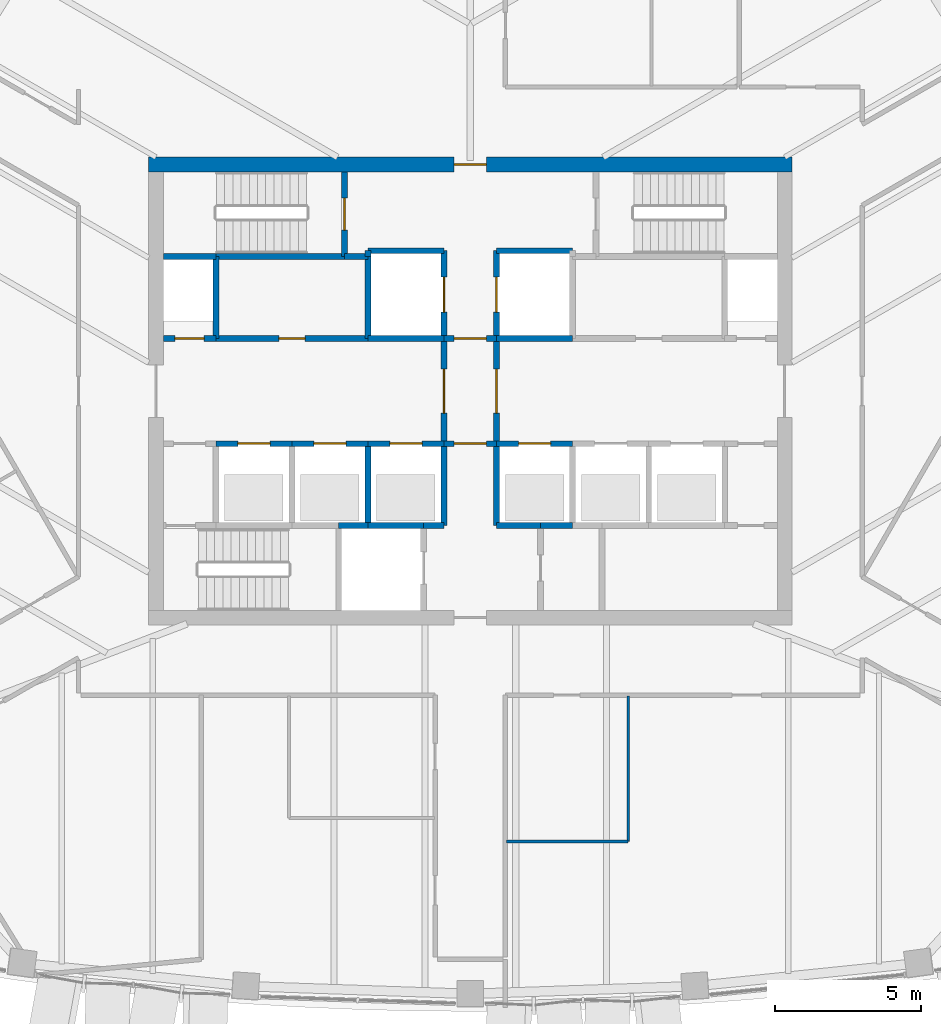
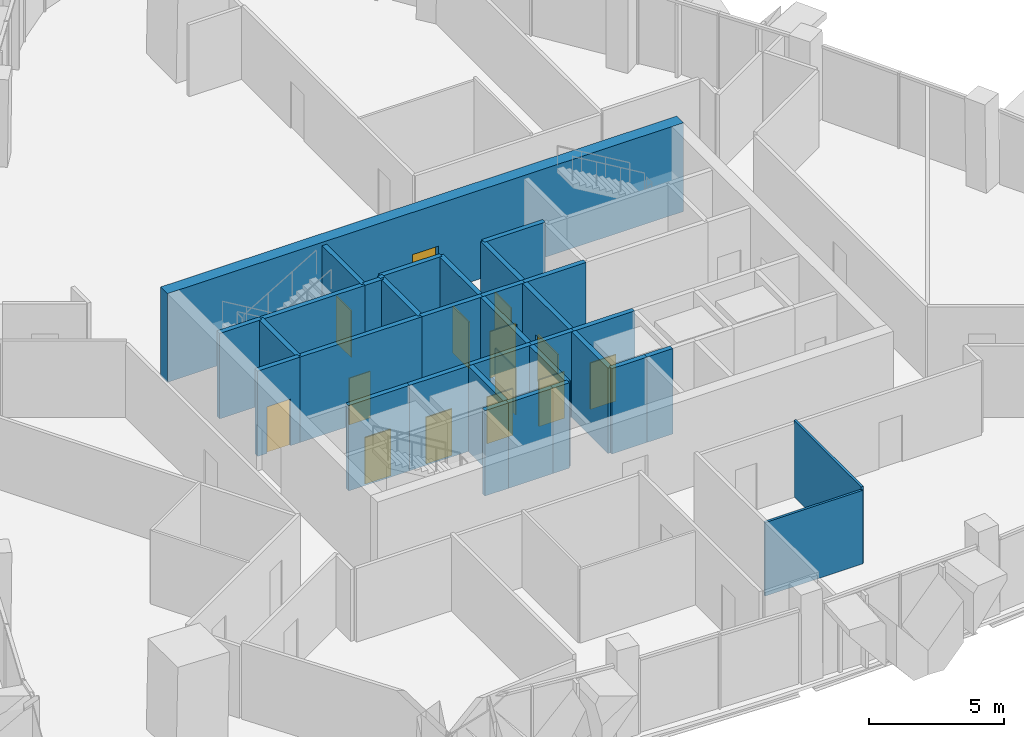
# One storey, part 12 of 18: 34 walls, 14 doors, 14 openings.
"""IFC4 building model written with IfcOpenShell, lengths in metres."""

from ifc_helpers import new_model, si_unit, direction, frame, frame_2d, origin, place, context, subcontext, project, spatial, rectangle, extrude, material, layer, layer_set, type_object, element, fill, save


model = new_model("IFC4")

# Units and contexts
model_context = context("Model", 3, precision=1e-05, world=origin(), true_north=direction((0.0, 1.0)))
body_context = subcontext(model_context, "Body", "Model", "MODEL_VIEW")
ifc_project = project(units=[si_unit("LENGTHUNIT", "METRE"), si_unit("AREAUNIT", "SQUARE_METRE"), si_unit("VOLUMEUNIT", "CUBIC_METRE"), si_unit("PLANEANGLEUNIT", "RADIAN"), si_unit("MASSUNIT", "GRAM", prefix="KILO")], contexts=[model_context])

# Site, building, storey
site_placement = place(None, origin())
site = spatial("IfcSite", under=ifc_project, at=site_placement, CompositionType="ELEMENT")
building_placement = place(site_placement, origin())
building = spatial("IfcBuilding", under=site, at=building_placement, Name="Sierra Prisma Convention Tower", CompositionType="ELEMENT")
storey_placement = place(building_placement, frame((0.0, 0.0, 251.0)))
storey = spatial("IfcBuildingStorey", under=building, at=storey_placement, Name="L56", CompositionType="ELEMENT", Elevation=251.0)

# Walls
ifc_material_1 = material(Name="Gypsum board partition", Category="gypsum")
ifc_layer_1 = layer(ifc_material_1, 0.10009765625)
ifc_layer_set_1 = layer_set([ifc_layer_1], Name="Bathroom partition 100")
wall_type_1 = type_object("IfcWallType", Name="Bathroom partition 100", PredefinedType="PARTITIONING", material=ifc_layer_set_1)
wall_1_placement = place(storey_placement, frame((5.39990234375, -10.429931640625, 0.0), z_axis=(0.0, 0.0, 1.0), x_axis=(0.0, -1.0, 0.0)))
element("IfcWall", 1, at=wall_1_placement, inside=storey, type_object=wall_type_1, Name="Partition L56 bath 5", PredefinedType="PARTITIONING", context=body_context, shape_type="SweptSolid", body=[
    extrude(rectangle(XDim=4.969970703125, YDim=0.10009765625, at=frame_2d((2.48486328125, 0.0))), origin(), (0.0, 0.0, 1.0), 3.449951171875),
])
wall_2_placement = place(storey_placement, frame((5.39990234375, -15.39990234375, 0.0), z_axis=(0.0, 0.0, 1.0), x_axis=(-1.0, 0.0, 0.0)))
element("IfcWall", 2, at=wall_2_placement, inside=storey, type_object=wall_type_1, Name="Partition L56 bath 6", PredefinedType="PARTITIONING", context=body_context, shape_type="SweptSolid", body=[
    extrude(rectangle(XDim=4.169921875, YDim=0.10009765625, at=frame_2d((2.0849609375, 0.0))), origin(), (0.0, 0.0, 1.0), 3.31689453125),
])

# Wall, opening, door
ifc_material_2 = material(Name="Concrete C30/37", Category="concrete")
ifc_layer_2 = layer(ifc_material_2, 0.199951171875)
ifc_layer_set_2 = layer_set([ifc_layer_2], Name="Core wall RC 200 C30/37")
wall_type_2 = type_object("IfcWallType", Name="Core wall RC 200 C30/37", PredefinedType="SOLIDWALL", material=ifc_layer_set_2)
wall_3_placement = place(storey_placement, frame((-8.699951171875, 1.800048828125, 0.0), z_axis=(0.0, 0.0, 1.0), x_axis=(-1.0, 0.0, 0.0)))
wall_3 = element("IfcWall", 3, at=wall_3_placement, inside=storey, type_object=wall_type_2, Name="Core wall L56 3", PredefinedType="SOLIDWALL", context=body_context, shape_type="SweptSolid", body=[
    extrude(rectangle(XDim=1.800048828125, YDim=0.199951171875, at=frame_2d((0.89990234375, 0.0))), origin(), (0.0, 0.0, 1.0), 3.85009765625),
])
opening_1_placement = place(wall_3_placement, frame((0.39990234375, 0.0, 0.0)))
opening_1 = element("IfcOpeningElement", 4, at=opening_1_placement, cuts=wall_3, Name="Opening L56-D015", PredefinedType="OPENING", context=body_context, shape_type="SweptSolid", body=[
    extrude(rectangle(XDim=1.0, YDim=2.10009765625, at=frame_2d((0.5, 1.050048828125))), frame((0.0, 0.10009765625, 0.0), z_axis=(0.0, -1.0, 0.0), x_axis=(1.0, 0.0, 0.0)), (0.0, 0.0, 1.0), 0.199951171875),
])
ifc_material_3 = material(Name="Steel fire door leaf", Category="steel")
door_type_1 = type_object("IfcDoorType", Name="Door 1000x2100 FD60S", OperationType="SINGLE_SWING_LEFT", PredefinedType="DOOR", material=ifc_material_3)
door_1_placement = place(opening_1_placement, origin())
door_1 = element("IfcDoor", 5, at=door_1_placement, inside=storey, type_object=door_type_1, Name="Door L56 30", OperationType="SINGLE_SWING_RIGHT", OverallHeight=2.10009765625, OverallWidth=1.0, PredefinedType="DOOR", context=body_context, shape_type="SweptSolid", body=[
    extrude(rectangle(XDim=1.0, YDim=2.10009765625, at=frame_2d((0.5, 1.050048828125))), frame((0.0, 0.02490234375, 0.0), z_axis=(0.0, -1.0, 0.0), x_axis=(1.0, 0.0, 0.0)), (0.0, 0.0, 1.0), 0.050048828125),
])
fill(opening_1, door_1)

# Wall
wall_4_placement = place(storey_placement, frame((-8.699951171875, 4.60009765625, 0.0), z_axis=(0.0, 0.0, 1.0), x_axis=(-1.0, 0.0, 0.0)))
element("IfcWall", 6, at=wall_4_placement, inside=storey, type_object=wall_type_2, Name="Core wall L56 4", PredefinedType="SOLIDWALL", context=body_context, shape_type="SweptSolid", body=[
    extrude(rectangle(XDim=1.800048828125, YDim=0.199951171875, at=frame_2d((0.89990234375, 0.0))), origin(), (0.0, 0.0, 1.0), 3.85009765625),
])

# Wall, opening, door
wall_5_placement = place(storey_placement, frame((-8.699951171875, -1.800048828125, 0.0), z_axis=(0.0, 0.0, 1.0), x_axis=(1.0, 0.0, 0.0)))
wall_5 = element("IfcWall", 7, at=wall_5_placement, inside=storey, type_object=wall_type_2, Name="Core wall L56 7", PredefinedType="SOLIDWALL", context=body_context, shape_type="SweptSolid", body=[
    extrude(rectangle(XDim=2.599853515625, YDim=0.199951171875, at=frame_2d((1.2998046875, 0.0))), origin(), (0.0, 0.0, 1.0), 3.85009765625),
])
opening_2_placement = place(wall_5_placement, frame((0.75, 0.0, 0.0)))
opening_2 = element("IfcOpeningElement", 8, at=opening_2_placement, cuts=wall_5, Name="Opening L56-D001", PredefinedType="OPENING", context=body_context, shape_type="SweptSolid", body=[
    extrude(rectangle(XDim=1.10009765625, YDim=2.10009765625, at=frame_2d((0.550048828125, 1.050048828125))), frame((0.0, 0.10009765625, 0.0), z_axis=(0.0, -1.0, 0.0), x_axis=(1.0, 0.0, 0.0)), (0.0, 0.0, 1.0), 0.199951171875),
])
ifc_material_4 = material(Name="Steel fire door leaf", Category="steel")
door_type_2 = type_object("IfcDoorType", Name="Door 1100x2100 EI 90 sliding lift landing", OperationType="SLIDING_TO_LEFT", PredefinedType="DOOR", material=ifc_material_4)
door_2_placement = place(opening_2_placement, origin())
door_2 = element("IfcDoor", 9, at=door_2_placement, inside=storey, type_object=door_type_2, Name="Door L56 16", OperationType="SLIDING_TO_RIGHT", OverallHeight=2.10009765625, OverallWidth=1.10009765625, PredefinedType="DOOR", context=body_context, shape_type="SweptSolid", body=[
    extrude(rectangle(XDim=1.10009765625, YDim=2.10009765625, at=frame_2d((0.550048828125, 1.050048828125))), frame((0.0, 0.02490234375, 0.0), z_axis=(0.0, -1.0, 0.0), x_axis=(1.0, 0.0, 0.0)), (0.0, 0.0, 1.0), 0.050048828125),
])
fill(opening_2, door_2)

wall_6_placement = place(storey_placement, frame((-8.699951171875, 1.800048828125, 0.0), z_axis=(0.0, 0.0, 1.0), x_axis=(1.0, 0.0, 0.0)))
wall_6 = element("IfcWall", 10, at=wall_6_placement, inside=storey, type_object=wall_type_2, Name="Core wall L56 8", PredefinedType="SOLIDWALL", context=body_context, shape_type="SweptSolid", body=[
    extrude(rectangle(XDim=5.199951171875, YDim=0.199951171875, at=frame_2d((2.60009765625, 0.0))), origin(), (0.0, 0.0, 1.0), 3.85009765625),
])
opening_3_placement = place(wall_6_placement, frame((2.14990234375, 0.0, 0.0)))
opening_3 = element("IfcOpeningElement", 11, at=opening_3_placement, cuts=wall_6, Name="Opening L56-D021", PredefinedType="OPENING", context=body_context, shape_type="SweptSolid", body=[
    extrude(rectangle(XDim=0.89990234375, YDim=2.10009765625, at=frame_2d((0.449951171875, 1.050048828125))), frame((0.0, 0.10009765625, 0.0), z_axis=(0.0, -1.0, 0.0), x_axis=(1.0, 0.0, 0.0)), (0.0, 0.0, 1.0), 0.199951171875),
])
ifc_material_5 = material(Name="Steel fire door leaf", Category="steel")
door_type_3 = type_object("IfcDoorType", Name="Door 900x2100 FD30S", OperationType="SINGLE_SWING_LEFT", PredefinedType="DOOR", material=ifc_material_5)
door_3_placement = place(opening_3_placement, origin())
door_3 = element("IfcDoor", 12, at=door_3_placement, inside=storey, type_object=door_type_3, Name="Door L56 36", OperationType="SINGLE_SWING_RIGHT", OverallHeight=2.10009765625, OverallWidth=0.89990234375, PredefinedType="DOOR", context=body_context, shape_type="SweptSolid", body=[
    extrude(rectangle(XDim=0.89990234375, YDim=2.10009765625, at=frame_2d((0.449951171875, 1.050048828125))), frame((0.0, 0.02490234375, 0.0), z_axis=(0.0, -1.0, 0.0), x_axis=(1.0, 0.0, 0.0)), (0.0, 0.0, 1.0), 0.050048828125),
])
fill(opening_3, door_3)

# Walls
wall_7_placement = place(storey_placement, frame((-8.699951171875, 4.60009765625, 0.0), z_axis=(0.0, 0.0, 1.0), x_axis=(0.0, -1.0, 0.0)))
element("IfcWall", 13, at=wall_7_placement, inside=storey, type_object=wall_type_2, Name="Core wall L56 9", PredefinedType="SOLIDWALL", context=body_context, shape_type="SweptSolid", body=[
    extrude(rectangle(XDim=2.800048828125, YDim=0.199951171875, at=frame_2d((1.39990234375, 0.0))), origin(), (0.0, 0.0, 1.0), 3.85009765625),
])
wall_8_placement = place(storey_placement, frame((-4.300048828125, 4.60009765625, 0.0), z_axis=(0.0, 0.0, 1.0), x_axis=(-1.0, 0.0, 0.0)))
element("IfcWall", 14, at=wall_8_placement, inside=storey, type_object=wall_type_2, Name="Core wall L56 10", PredefinedType="SOLIDWALL", context=body_context, shape_type="SweptSolid", body=[
    extrude(rectangle(XDim=4.39990234375, YDim=0.199951171875, at=frame_2d((2.199951171875, 0.0))), origin(), (0.0, 0.0, 1.0), 3.85009765625),
])

# Wall, opening, door
wall_9_placement = place(storey_placement, frame((-6.10009765625, -1.800048828125, 0.0), z_axis=(0.0, 0.0, 1.0), x_axis=(1.0, 0.0, 0.0)))
wall_9 = element("IfcWall", 15, at=wall_9_placement, inside=storey, type_object=wall_type_2, Name="Core wall L56 13", PredefinedType="SOLIDWALL", context=body_context, shape_type="SweptSolid", body=[
    extrude(rectangle(XDim=2.60009765625, YDim=0.199951171875, at=frame_2d((1.300048828125, 0.0))), origin(), (0.0, 0.0, 1.0), 3.85009765625),
])
opening_4_placement = place(wall_9_placement, frame((0.75, 0.0, 0.0)))
opening_4 = element("IfcOpeningElement", 16, at=opening_4_placement, cuts=wall_9, Name="Opening L56-D002", PredefinedType="OPENING", context=body_context, shape_type="SweptSolid", body=[
    extrude(rectangle(XDim=1.10009765625, YDim=2.10009765625, at=frame_2d((0.550048828125, 1.050048828125))), frame((0.0, 0.10009765625, 0.0), z_axis=(0.0, -1.0, 0.0), x_axis=(1.0, 0.0, 0.0)), (0.0, 0.0, 1.0), 0.199951171875),
])
door_4_placement = place(opening_4_placement, origin())
door_4 = element("IfcDoor", 17, at=door_4_placement, inside=storey, type_object=door_type_2, Name="Door L56 17", OperationType="SLIDING_TO_LEFT", OverallHeight=2.10009765625, OverallWidth=1.10009765625, PredefinedType="DOOR", context=body_context, shape_type="SweptSolid", body=[
    extrude(rectangle(XDim=1.10009765625, YDim=2.10009765625, at=frame_2d((0.550048828125, 1.050048828125))), frame((0.0, 0.02490234375, 0.0), z_axis=(0.0, -1.0, 0.0), x_axis=(1.0, 0.0, 0.0)), (0.0, 0.0, 1.0), 0.050048828125),
])
fill(opening_4, door_4)

# Walls
wall_10_placement = place(storey_placement, frame((-4.5, -4.60009765625, 0.0), z_axis=(0.0, 0.0, 1.0), x_axis=(1.0, 0.0, 0.0)))
element("IfcWall", 18, at=wall_10_placement, inside=storey, type_object=wall_type_2, Name="Core wall L56 15", PredefinedType="SOLIDWALL", context=body_context, shape_type="SweptSolid", body=[
    extrude(rectangle(XDim=1.0, YDim=0.199951171875, at=frame_2d((0.5, 0.0))), origin(), (0.0, 0.0, 1.0), 3.85009765625),
])
wall_11_placement = place(storey_placement, frame((-3.5, 4.60009765625, 0.0), z_axis=(0.0, 0.0, 1.0), x_axis=(-1.0, 0.0, 0.0)))
element("IfcWall", 19, at=wall_11_placement, inside=storey, type_object=wall_type_2, Name="Core wall L56 16", PredefinedType="SOLIDWALL", context=body_context, shape_type="SweptSolid", body=[
    extrude(rectangle(XDim=0.800048828125, YDim=0.199951171875, at=frame_2d((0.39990234375, 0.0))), origin(), (0.0, 0.0, 1.0), 3.85009765625),
])

# Wall, opening, door
wall_12_placement = place(storey_placement, frame((-4.300048828125, 4.60009765625, 0.0), z_axis=(0.0, 0.0, 1.0), x_axis=(0.0, 1.0, 0.0)))
wall_12 = element("IfcWall", 20, at=wall_12_placement, inside=storey, type_object=wall_type_2, Name="Core wall L56 17", PredefinedType="SOLIDWALL", context=body_context, shape_type="SweptSolid", body=[
    extrude(rectangle(XDim=2.89990234375, YDim=0.199951171875, at=frame_2d((1.449951171875, 0.0))), origin(), (0.0, 0.0, 1.0), 3.85009765625),
])
opening_5_placement = place(wall_12_placement, frame((0.89990234375, 0.0, 0.0)))
opening_5 = element("IfcOpeningElement", 21, at=opening_5_placement, cuts=wall_12, Name="Opening L56-D018", PredefinedType="OPENING", context=body_context, shape_type="SweptSolid", body=[
    extrude(rectangle(XDim=1.10009765625, YDim=2.10009765625, at=frame_2d((0.550048828125, 1.050048828125))), frame((0.0, 0.10009765625, 0.0), z_axis=(0.0, -1.0, 0.0), x_axis=(1.0, 0.0, 0.0)), (0.0, 0.0, 1.0), 0.199951171875),
])
ifc_material_6 = material(Name="Steel fire door leaf", Category="steel")
door_type_4 = type_object("IfcDoorType", Name="Door 1100x2100 FD90S", OperationType="SINGLE_SWING_LEFT", PredefinedType="DOOR", material=ifc_material_6)
door_5_placement = place(opening_5_placement, origin())
door_5 = element("IfcDoor", 22, at=door_5_placement, inside=storey, type_object=door_type_4, Name="Door L56 33", OperationType="SINGLE_SWING_RIGHT", OverallHeight=2.10009765625, OverallWidth=1.10009765625, PredefinedType="DOOR", context=body_context, shape_type="SweptSolid", body=[
    extrude(rectangle(XDim=1.10009765625, YDim=2.10009765625, at=frame_2d((0.550048828125, 1.050048828125))), frame((0.0, 0.02490234375, 0.0), z_axis=(0.0, -1.0, 0.0), x_axis=(1.0, 0.0, 0.0)), (0.0, 0.0, 1.0), 0.050048828125),
])
fill(opening_5, door_5)

# Walls
wall_13_placement = place(storey_placement, frame((-3.5, -4.60009765625, 0.0), z_axis=(0.0, 0.0, 1.0), x_axis=(1.0, 0.0, 0.0)))
element("IfcWall", 23, at=wall_13_placement, inside=storey, type_object=wall_type_2, Name="Core wall L56 18", PredefinedType="SOLIDWALL", context=body_context, shape_type="SweptSolid", body=[
    extrude(rectangle(XDim=1.89990234375, YDim=0.199951171875, at=frame_2d((0.949951171875, 0.0))), origin(), (0.0, 0.0, 1.0), 3.85009765625),
])
wall_14_placement = place(storey_placement, frame((-3.5, -4.60009765625, 0.0), z_axis=(0.0, 0.0, 1.0), x_axis=(0.0, 1.0, 0.0)))
element("IfcWall", 24, at=wall_14_placement, inside=storey, type_object=wall_type_2, Name="Core wall L56 19", PredefinedType="SOLIDWALL", context=body_context, shape_type="SweptSolid", body=[
    extrude(rectangle(XDim=2.800048828125, YDim=0.199951171875, at=frame_2d((1.39990234375, 0.0))), origin(), (0.0, 0.0, 1.0), 3.85009765625),
])

# Wall, opening, door
wall_15_placement = place(storey_placement, frame((-3.5, -1.800048828125, 0.0), z_axis=(0.0, 0.0, 1.0), x_axis=(1.0, 0.0, 0.0)))
wall_15 = element("IfcWall", 25, at=wall_15_placement, inside=storey, type_object=wall_type_2, Name="Core wall L56 20", PredefinedType="SOLIDWALL", context=body_context, shape_type="SweptSolid", body=[
    extrude(rectangle(XDim=2.60009765625, YDim=0.199951171875, at=frame_2d((1.300048828125, 0.0))), origin(), (0.0, 0.0, 1.0), 3.85009765625),
])
opening_6_placement = place(wall_15_placement, frame((0.75, 0.0, 0.0)))
opening_6 = element("IfcOpeningElement", 26, at=opening_6_placement, cuts=wall_15, Name="Opening L56-D003", PredefinedType="OPENING", context=body_context, shape_type="SweptSolid", body=[
    extrude(rectangle(XDim=1.10009765625, YDim=2.10009765625, at=frame_2d((0.550048828125, 1.050048828125))), frame((0.0, 0.10009765625, 0.0), z_axis=(0.0, -1.0, 0.0), x_axis=(1.0, 0.0, 0.0)), (0.0, 0.0, 1.0), 0.199951171875),
])
door_6_placement = place(opening_6_placement, origin())
door_6 = element("IfcDoor", 27, at=door_6_placement, inside=storey, type_object=door_type_2, Name="Door L56 18", OperationType="SLIDING_TO_LEFT", OverallHeight=2.10009765625, OverallWidth=1.10009765625, PredefinedType="DOOR", context=body_context, shape_type="SweptSolid", body=[
    extrude(rectangle(XDim=1.10009765625, YDim=2.10009765625, at=frame_2d((0.550048828125, 1.050048828125))), frame((0.0, 0.02490234375, 0.0), z_axis=(0.0, -1.0, 0.0), x_axis=(1.0, 0.0, 0.0)), (0.0, 0.0, 1.0), 0.050048828125),
])
fill(opening_6, door_6)

# Walls
wall_16_placement = place(storey_placement, frame((-0.89990234375, 1.800048828125, 0.0), z_axis=(0.0, 0.0, 1.0), x_axis=(-1.0, 0.0, 0.0)))
element("IfcWall", 28, at=wall_16_placement, inside=storey, type_object=wall_type_2, Name="Core wall L56 21", PredefinedType="SOLIDWALL", context=body_context, shape_type="SweptSolid", body=[
    extrude(rectangle(XDim=2.60009765625, YDim=0.199951171875, at=frame_2d((1.300048828125, 0.0))), origin(), (0.0, 0.0, 1.0), 3.85009765625),
])
wall_17_placement = place(storey_placement, frame((-3.5, 1.800048828125, 0.0), z_axis=(0.0, 0.0, 1.0), x_axis=(0.0, 1.0, 0.0)))
element("IfcWall", 29, at=wall_17_placement, inside=storey, type_object=wall_type_2, Name="Core wall L56 22", PredefinedType="SOLIDWALL", context=body_context, shape_type="SweptSolid", body=[
    extrude(rectangle(XDim=2.800048828125, YDim=0.199951171875, at=frame_2d((1.39990234375, 0.0))), origin(), (0.0, 0.0, 1.0), 3.85009765625),
])

# Wall, opening, door
wall_18_placement = place(storey_placement, frame((-0.89990234375, 1.800048828125, 0.0), z_axis=(0.0, 0.0, 1.0), x_axis=(0.0, 1.0, 0.0)))
wall_18 = element("IfcWall", 30, at=wall_18_placement, inside=storey, type_object=wall_type_2, Name="Core wall L56 23", PredefinedType="SOLIDWALL", context=body_context, shape_type="SweptSolid", body=[
    extrude(rectangle(XDim=3.0, YDim=0.199951171875, at=frame_2d((1.5, 0.0))), origin(), (0.0, 0.0, 1.0), 3.85009765625),
])
opening_7_placement = place(wall_18_placement, frame((0.89990234375, 0.0, 0.0)))
opening_7 = element("IfcOpeningElement", 31, at=opening_7_placement, cuts=wall_18, Name="Opening L56-D007", PredefinedType="OPENING", context=body_context, shape_type="SweptSolid", body=[
    extrude(rectangle(XDim=1.199951171875, YDim=2.10009765625, at=frame_2d((0.60009765625, 1.050048828125))), frame((0.0, 0.10009765625, 0.0), z_axis=(0.0, -1.0, 0.0), x_axis=(1.0, 0.0, 0.0)), (0.0, 0.0, 1.0), 0.199951171875),
])
ifc_material_7 = material(Name="Steel fire door leaf", Category="steel")
door_type_5 = type_object("IfcDoorType", Name="Door 1200x2100 EI 90 sliding lift landing", OperationType="SLIDING_TO_LEFT", PredefinedType="DOOR", material=ifc_material_7)
door_7_placement = place(opening_7_placement, origin())
door_7 = element("IfcDoor", 32, at=door_7_placement, inside=storey, type_object=door_type_5, Name="Door L56 22", OperationType="SLIDING_TO_RIGHT", OverallHeight=2.10009765625, OverallWidth=1.199951171875, PredefinedType="DOOR", context=body_context, shape_type="SweptSolid", body=[
    extrude(rectangle(XDim=1.199951171875, YDim=2.10009765625, at=frame_2d((0.60009765625, 1.050048828125))), frame((0.0, 0.02490234375, 0.0), z_axis=(0.0, -1.0, 0.0), x_axis=(1.0, 0.0, 0.0)), (0.0, 0.0, 1.0), 0.050048828125),
])
fill(opening_7, door_7)

# Walls
wall_19_placement = place(storey_placement, frame((-0.89990234375, 4.800048828125, 0.0), z_axis=(0.0, 0.0, 1.0), x_axis=(-1.0, 0.0, 0.0)))
element("IfcWall", 33, at=wall_19_placement, inside=storey, type_object=wall_type_2, Name="Core wall L56 24", PredefinedType="SOLIDWALL", context=body_context, shape_type="SweptSolid", body=[
    extrude(rectangle(XDim=2.60009765625, YDim=0.199951171875, at=frame_2d((1.300048828125, 0.0))), origin(), (0.0, 0.0, 1.0), 3.85009765625),
])
wall_20_placement = place(storey_placement, frame((-3.5, 4.800048828125, 0.0), z_axis=(0.0, 0.0, 1.0), x_axis=(0.0, -1.0, 0.0)))
element("IfcWall", 34, at=wall_20_placement, inside=storey, type_object=wall_type_2, Name="Core wall L56 25", PredefinedType="SOLIDWALL", context=body_context, shape_type="SweptSolid", body=[
    extrude(rectangle(XDim=0.199951171875, YDim=0.199951171875, at=frame_2d((0.10009765625, 0.0))), origin(), (0.0, 0.0, 1.0), 3.85009765625),
])
wall_21_placement = place(storey_placement, frame((-1.60009765625, -4.60009765625, 0.0), z_axis=(0.0, 0.0, 1.0), x_axis=(1.0, 0.0, 0.0)))
element("IfcWall", 35, at=wall_21_placement, inside=storey, type_object=wall_type_2, Name="Core wall L56 27", PredefinedType="SOLIDWALL", context=body_context, shape_type="SweptSolid", body=[
    extrude(rectangle(XDim=0.7001953125, YDim=0.199951171875, at=frame_2d((0.35009765625, 0.0))), origin(), (0.0, 0.0, 1.0), 3.85009765625),
])
wall_22_placement = place(storey_placement, frame((-0.89990234375, -4.60009765625, 0.0), z_axis=(0.0, 0.0, 1.0), x_axis=(0.0, 1.0, 0.0)))
element("IfcWall", 36, at=wall_22_placement, inside=storey, type_object=wall_type_2, Name="Core wall L56 28", PredefinedType="SOLIDWALL", context=body_context, shape_type="SweptSolid", body=[
    extrude(rectangle(XDim=2.800048828125, YDim=0.199951171875, at=frame_2d((1.39990234375, 0.0))), origin(), (0.0, 0.0, 1.0), 3.85009765625),
])

# Wall, opening, door
wall_23_placement = place(storey_placement, frame((-0.89990234375, -1.800048828125, 0.0), z_axis=(0.0, 0.0, 1.0), x_axis=(1.0, 0.0, 0.0)))
wall_23 = element("IfcWall", 37, at=wall_23_placement, inside=storey, type_object=wall_type_2, Name="Core wall L56 29", PredefinedType="SOLIDWALL", context=body_context, shape_type="SweptSolid", body=[
    extrude(rectangle(XDim=1.7998046875, YDim=0.199951171875, at=frame_2d((0.89990234375, 0.0))), origin(), (0.0, 0.0, 1.0), 3.85009765625),
])
opening_8_placement = place(wall_23_placement, frame((0.35009765625, 0.0, 0.0)))
opening_8 = element("IfcOpeningElement", 38, at=opening_8_placement, cuts=wall_23, Name="Opening L56-D014", PredefinedType="OPENING", context=body_context, shape_type="SweptSolid", body=[
    extrude(rectangle(XDim=1.10009765625, YDim=2.10009765625, at=frame_2d((0.550048828125, 1.050048828125))), frame((0.0, 0.10009765625, 0.0), z_axis=(0.0, -1.0, 0.0), x_axis=(1.0, 0.0, 0.0)), (0.0, 0.0, 1.0), 0.199951171875),
])
ifc_material_8 = material(Name="Steel fire door leaf", Category="steel")
door_type_6 = type_object("IfcDoorType", Name="Door 1100x2100 FD30S", OperationType="SINGLE_SWING_LEFT", PredefinedType="DOOR", material=ifc_material_8)
door_8_placement = place(opening_8_placement, origin())
door_8 = element("IfcDoor", 39, at=door_8_placement, inside=storey, type_object=door_type_6, Name="Door L56 29", OperationType="SINGLE_SWING_LEFT", OverallHeight=2.10009765625, OverallWidth=1.10009765625, PredefinedType="DOOR", context=body_context, shape_type="SweptSolid", body=[
    extrude(rectangle(XDim=1.10009765625, YDim=2.10009765625, at=frame_2d((0.550048828125, 1.050048828125))), frame((0.0, 0.02490234375, 0.0), z_axis=(0.0, -1.0, 0.0), x_axis=(1.0, 0.0, 0.0)), (0.0, 0.0, 1.0), 0.050048828125),
])
fill(opening_8, door_8)

wall_24_placement = place(storey_placement, frame((-0.89990234375, 1.800048828125, 0.0), z_axis=(0.0, 0.0, 1.0), x_axis=(0.0, -1.0, 0.0)))
wall_24 = element("IfcWall", 40, at=wall_24_placement, inside=storey, type_object=wall_type_2, Name="Core wall L56 30", PredefinedType="SOLIDWALL", context=body_context, shape_type="SweptSolid", body=[
    extrude(rectangle(XDim=3.60009765625, YDim=0.199951171875, at=frame_2d((1.800048828125, 0.0))), origin(), (0.0, 0.0, 1.0), 3.85009765625),
])
opening_9_placement = place(wall_24_placement, frame((1.050048828125, 0.0, 0.0)))
opening_9 = element("IfcOpeningElement", 41, at=opening_9_placement, cuts=wall_24, Name="Opening L56-D010", PredefinedType="OPENING", context=body_context, shape_type="SweptSolid", body=[
    extrude(rectangle(XDim=1.5, YDim=2.10009765625, at=frame_2d((0.75, 1.050048828125))), frame((0.0, 0.10009765625, 0.0), z_axis=(0.0, -1.0, 0.0), x_axis=(1.0, 0.0, 0.0)), (0.0, 0.0, 1.0), 0.199951171875),
])
ifc_material_9 = material(Name="Steel fire door leaf", Category="steel")
door_type_7 = type_object("IfcDoorType", Name="Door 1500x2100 FD30S", OperationType="DOUBLE_DOOR_SINGLE_SWING", PredefinedType="DOOR", material=ifc_material_9)
door_9_placement = place(opening_9_placement, origin())
door_9 = element("IfcDoor", 42, at=door_9_placement, inside=storey, type_object=door_type_7, Name="Door L56 25", OperationType="DOUBLE_DOOR_SINGLE_SWING", OverallHeight=2.10009765625, OverallWidth=1.5, PredefinedType="DOOR", context=body_context, shape_type="SweptSolid", body=[
    extrude(rectangle(XDim=1.5, YDim=2.10009765625, at=frame_2d((0.75, 1.050048828125))), frame((0.0, 0.02490234375, 0.0), z_axis=(0.0, -1.0, 0.0), x_axis=(1.0, 0.0, 0.0)), (0.0, 0.0, 1.0), 0.050048828125),
])
fill(opening_9, door_9)

wall_25_placement = place(storey_placement, frame((0.89990234375, 1.800048828125, 0.0), z_axis=(0.0, 0.0, 1.0), x_axis=(-1.0, 0.0, 0.0)))
wall_25 = element("IfcWall", 43, at=wall_25_placement, inside=storey, type_object=wall_type_2, Name="Core wall L56 31", PredefinedType="SOLIDWALL", context=body_context, shape_type="SweptSolid", body=[
    extrude(rectangle(XDim=1.7998046875, YDim=0.199951171875, at=frame_2d((0.89990234375, 0.0))), origin(), (0.0, 0.0, 1.0), 3.85009765625),
])
opening_10_placement = place(wall_25_placement, frame((0.35009765625, 0.0, 0.0)))
opening_10 = element("IfcOpeningElement", 44, at=opening_10_placement, cuts=wall_25, Name="Opening L56-D013", PredefinedType="OPENING", context=body_context, shape_type="SweptSolid", body=[
    extrude(rectangle(XDim=1.10009765625, YDim=2.10009765625, at=frame_2d((0.550048828125, 1.050048828125))), frame((0.0, 0.10009765625, 0.0), z_axis=(0.0, -1.0, 0.0), x_axis=(1.0, 0.0, 0.0)), (0.0, 0.0, 1.0), 0.199951171875),
])
ifc_material_10 = material(Name="Steel fire door leaf", Category="steel")
door_type_8 = type_object("IfcDoorType", Name="Door 1100x2100 FD60S", OperationType="SINGLE_SWING_LEFT", PredefinedType="DOOR", material=ifc_material_10)
door_10_placement = place(opening_10_placement, origin())
door_10 = element("IfcDoor", 45, at=door_10_placement, inside=storey, type_object=door_type_8, Name="Door L56 28", OperationType="SINGLE_SWING_LEFT", OverallHeight=2.10009765625, OverallWidth=1.10009765625, PredefinedType="DOOR", context=body_context, shape_type="SweptSolid", body=[
    extrude(rectangle(XDim=1.10009765625, YDim=2.10009765625, at=frame_2d((0.550048828125, 1.050048828125))), frame((0.0, 0.02490234375, 0.0), z_axis=(0.0, -1.0, 0.0), x_axis=(1.0, 0.0, 0.0)), (0.0, 0.0, 1.0), 0.050048828125),
])
fill(opening_10, door_10)

wall_26_placement = place(storey_placement, frame((0.89990234375, -1.800048828125, 0.0), z_axis=(0.0, 0.0, 1.0), x_axis=(1.0, 0.0, 0.0)))
wall_26 = element("IfcWall", 46, at=wall_26_placement, inside=storey, type_object=wall_type_2, Name="Core wall L56 32", PredefinedType="SOLIDWALL", context=body_context, shape_type="SweptSolid", body=[
    extrude(rectangle(XDim=2.60009765625, YDim=0.199951171875, at=frame_2d((1.300048828125, 0.0))), origin(), (0.0, 0.0, 1.0), 3.85009765625),
])
opening_11_placement = place(wall_26_placement, frame((0.75, 0.0, 0.0)))
opening_11 = element("IfcOpeningElement", 47, at=opening_11_placement, cuts=wall_26, Name="Opening L56-D004", PredefinedType="OPENING", context=body_context, shape_type="SweptSolid", body=[
    extrude(rectangle(XDim=1.10009765625, YDim=2.10009765625, at=frame_2d((0.550048828125, 1.050048828125))), frame((0.0, 0.10009765625, 0.0), z_axis=(0.0, -1.0, 0.0), x_axis=(1.0, 0.0, 0.0)), (0.0, 0.0, 1.0), 0.199951171875),
])
door_11_placement = place(opening_11_placement, origin())
door_11 = element("IfcDoor", 48, at=door_11_placement, inside=storey, type_object=door_type_2, Name="Door L56 19", OperationType="SLIDING_TO_RIGHT", OverallHeight=2.10009765625, OverallWidth=1.10009765625, PredefinedType="DOOR", context=body_context, shape_type="SweptSolid", body=[
    extrude(rectangle(XDim=1.10009765625, YDim=2.10009765625, at=frame_2d((0.550048828125, 1.050048828125))), frame((0.0, 0.02490234375, 0.0), z_axis=(0.0, -1.0, 0.0), x_axis=(1.0, 0.0, 0.0)), (0.0, 0.0, 1.0), 0.050048828125),
])
fill(opening_11, door_11)

wall_27_placement = place(storey_placement, frame((0.89990234375, -1.800048828125, 0.0), z_axis=(0.0, 0.0, 1.0), x_axis=(0.0, 1.0, 0.0)))
wall_27 = element("IfcWall", 49, at=wall_27_placement, inside=storey, type_object=wall_type_2, Name="Core wall L56 33", PredefinedType="SOLIDWALL", context=body_context, shape_type="SweptSolid", body=[
    extrude(rectangle(XDim=3.60009765625, YDim=0.199951171875, at=frame_2d((1.800048828125, 0.0))), origin(), (0.0, 0.0, 1.0), 3.85009765625),
])
opening_12_placement = place(wall_27_placement, frame((1.050048828125, 0.0, 0.0)))
opening_12 = element("IfcOpeningElement", 50, at=opening_12_placement, cuts=wall_27, Name="Opening L56-D011", PredefinedType="OPENING", context=body_context, shape_type="SweptSolid", body=[
    extrude(rectangle(XDim=1.5, YDim=2.10009765625, at=frame_2d((0.75, 1.050048828125))), frame((0.0, 0.10009765625, 0.0), z_axis=(0.0, -1.0, 0.0), x_axis=(1.0, 0.0, 0.0)), (0.0, 0.0, 1.0), 0.199951171875),
])
door_12_placement = place(opening_12_placement, origin())
door_12 = element("IfcDoor", 51, at=door_12_placement, inside=storey, type_object=door_type_7, Name="Door L56 26", OperationType="DOUBLE_DOOR_SINGLE_SWING", OverallHeight=2.10009765625, OverallWidth=1.5, PredefinedType="DOOR", context=body_context, shape_type="SweptSolid", body=[
    extrude(rectangle(XDim=1.5, YDim=2.10009765625, at=frame_2d((0.75, 1.050048828125))), frame((0.0, 0.02490234375, 0.0), z_axis=(0.0, -1.0, 0.0), x_axis=(1.0, 0.0, 0.0)), (0.0, 0.0, 1.0), 0.050048828125),
])
fill(opening_12, door_12)

# Walls
wall_28_placement = place(storey_placement, frame((0.89990234375, -1.800048828125, 0.0), z_axis=(0.0, 0.0, 1.0), x_axis=(0.0, -1.0, 0.0)))
element("IfcWall", 52, at=wall_28_placement, inside=storey, type_object=wall_type_2, Name="Core wall L56 34", PredefinedType="SOLIDWALL", context=body_context, shape_type="SweptSolid", body=[
    extrude(rectangle(XDim=2.800048828125, YDim=0.199951171875, at=frame_2d((1.39990234375, 0.0))), origin(), (0.0, 0.0, 1.0), 3.85009765625),
])
wall_29_placement = place(storey_placement, frame((0.89990234375, -4.60009765625, 0.0), z_axis=(0.0, 0.0, 1.0), x_axis=(1.0, 0.0, 0.0)))
element("IfcWall", 53, at=wall_29_placement, inside=storey, type_object=wall_type_2, Name="Core wall L56 35", PredefinedType="SOLIDWALL", context=body_context, shape_type="SweptSolid", body=[
    extrude(rectangle(XDim=1.5, YDim=0.199951171875, at=frame_2d((0.75, 0.0))), origin(), (0.0, 0.0, 1.0), 3.85009765625),
])
for number, where, z_axis, x_axis, name in (
    (54, (3.5, 1.800048828125, 0.0), (0.0, 0.0, 1.0), (-1.0, 0.0, 0.0), "Core wall L56 36"),
    (55, (3.5, 4.800048828125, 0.0), (0.0, 0.0, 1.0), (-1.0, 0.0, 0.0), "Core wall L56 38"),
):
    element("IfcWall", number, at=place(storey_placement, frame(where, z_axis=z_axis, x_axis=x_axis)), inside=storey, type_object=wall_type_2, Name=name, PredefinedType="SOLIDWALL", context=body_context, shape_type="SweptSolid", body=[
        extrude(rectangle(XDim=2.60009765625, YDim=0.199951171875, at=frame_2d((1.300048828125, 0.0))), origin(), (0.0, 0.0, 1.0), 3.85009765625),
    ])

# Wall, opening, door
wall_30_placement = place(storey_placement, frame((0.89990234375, 4.800048828125, 0.0), z_axis=(0.0, 0.0, 1.0), x_axis=(0.0, -1.0, 0.0)))
wall_30 = element("IfcWall", 56, at=wall_30_placement, inside=storey, type_object=wall_type_2, Name="Core wall L56 39", PredefinedType="SOLIDWALL", context=body_context, shape_type="SweptSolid", body=[
    extrude(rectangle(XDim=3.0, YDim=0.199951171875, at=frame_2d((1.5, 0.0))), origin(), (0.0, 0.0, 1.0), 3.85009765625),
])
opening_13_placement = place(wall_30_placement, frame((0.89990234375, 0.0, 0.0)))
opening_13 = element("IfcOpeningElement", 57, at=opening_13_placement, cuts=wall_30, Name="Opening L56-D008", PredefinedType="OPENING", context=body_context, shape_type="SweptSolid", body=[
    extrude(rectangle(XDim=1.199951171875, YDim=2.10009765625, at=frame_2d((0.60009765625, 1.050048828125))), frame((0.0, 0.10009765625, 0.0), z_axis=(0.0, -1.0, 0.0), x_axis=(1.0, 0.0, 0.0)), (0.0, 0.0, 1.0), 0.199951171875),
])
door_13_placement = place(opening_13_placement, origin())
door_13 = element("IfcDoor", 58, at=door_13_placement, inside=storey, type_object=door_type_5, Name="Door L56 23", OperationType="SLIDING_TO_RIGHT", OverallHeight=2.10009765625, OverallWidth=1.199951171875, PredefinedType="DOOR", context=body_context, shape_type="SweptSolid", body=[
    extrude(rectangle(XDim=1.199951171875, YDim=2.10009765625, at=frame_2d((0.60009765625, 1.050048828125))), frame((0.0, 0.02490234375, 0.0), z_axis=(0.0, -1.0, 0.0), x_axis=(1.0, 0.0, 0.0)), (0.0, 0.0, 1.0), 0.050048828125),
])
fill(opening_13, door_13)

# Wall
wall_31_placement = place(storey_placement, frame((3.5, -4.60009765625, 0.0), z_axis=(0.0, 0.0, 1.0), x_axis=(-1.0, 0.0, 0.0)))
element("IfcWall", 59, at=wall_31_placement, inside=storey, type_object=wall_type_2, Name="Core wall L56 41", PredefinedType="SOLIDWALL", context=body_context, shape_type="SweptSolid", body=[
    extrude(rectangle(XDim=1.10009765625, YDim=0.199951171875, at=frame_2d((0.550048828125, 0.0))), origin(), (0.0, 0.0, 1.0), 3.85009765625),
])

# Wall, opening, door
ifc_material_11 = material(Name="Concrete C50/60", Category="concrete")
ifc_layer_3 = layer(ifc_material_11, 0.5)
ifc_layer_set_3 = layer_set([ifc_layer_3], Name="Core wall RC 500 C50/60")
wall_type_3 = type_object("IfcWallType", Name="Core wall RC 500 C50/60", PredefinedType="SHEAR", material=ifc_layer_set_3)
wall_32_placement = place(storey_placement, frame((-11.0, 7.75, 0.0), z_axis=(0.0, 0.0, 1.0), x_axis=(1.0, 0.0, 0.0)))
wall_32 = element("IfcWall", 60, at=wall_32_placement, inside=storey, type_object=wall_type_3, Name="Core wall N L56", PredefinedType="SHEAR", context=body_context, shape_type="SweptSolid", body=[
    extrude(rectangle(XDim=22.0, YDim=0.5, at=frame_2d((11.0, 0.0))), origin(), (0.0, 0.0, 1.0), 4.0),
])
opening_14_placement = place(wall_32_placement, frame((10.449951171875, 0.0, 0.0)))
opening_14 = element("IfcOpeningElement", 61, at=opening_14_placement, cuts=wall_32, Name="Opening L56-D041", PredefinedType="OPENING", context=body_context, shape_type="SweptSolid", body=[
    extrude(rectangle(XDim=1.10009765625, YDim=2.10009765625, at=frame_2d((0.550048828125, 1.050048828125))), frame((0.0, 0.25, 0.0), z_axis=(0.0, -1.0, 0.0), x_axis=(1.0, 0.0, 0.0)), (0.0, 0.0, 1.0), 0.5),
])
door_14_placement = place(opening_14_placement, origin())
door_14 = element("IfcDoor", 62, at=door_14_placement, inside=storey, type_object=door_type_8, Name="Door L56 42", OperationType="SINGLE_SWING_LEFT", OverallHeight=2.10009765625, OverallWidth=1.10009765625, PredefinedType="DOOR", context=body_context, shape_type="SweptSolid", body=[
    extrude(rectangle(XDim=1.10009765625, YDim=2.10009765625, at=frame_2d((0.550048828125, 1.050048828125))), frame((0.0, 0.02490234375, 0.0), z_axis=(0.0, -1.0, 0.0), x_axis=(1.0, 0.0, 0.0)), (0.0, 0.0, 1.0), 0.050048828125),
])
fill(opening_14, door_14)

save(model, "model.ifc")
